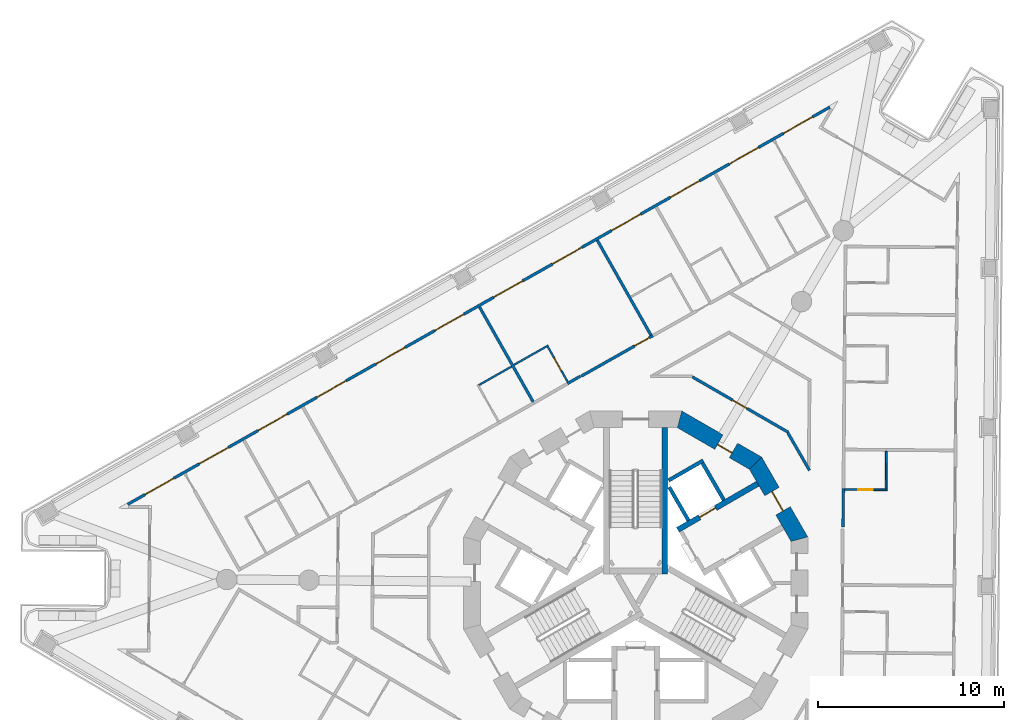
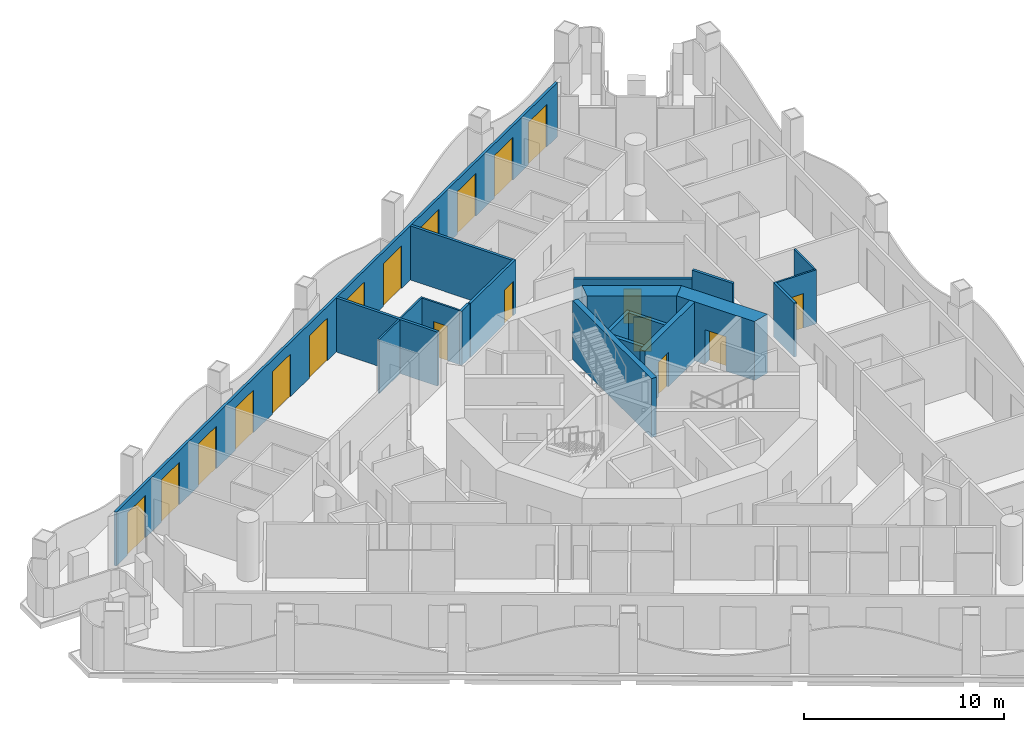
# One storey, part 8 of 17: 20 walls, 19 doors, 19 openings.
"""IFC4 building model written with IfcOpenShell, lengths in metres."""

from ifc_helpers import new_model, si_unit, direction, frame, frame_2d, origin, place, context, subcontext, project, spatial, polyline, rectangle, outline, extrude, material, layer, layer_set, type_object, element, fill, save


model = new_model("IFC4")

# Units and contexts
model_context = context("Model", 3, precision=1e-05, world=origin(), true_north=direction((0.0, 1.0)))
body_context = subcontext(model_context, "Body", "Model", "MODEL_VIEW")
ifc_project = project(units=[si_unit("LENGTHUNIT", "METRE"), si_unit("AREAUNIT", "SQUARE_METRE"), si_unit("VOLUMEUNIT", "CUBIC_METRE"), si_unit("PLANEANGLEUNIT", "RADIAN"), si_unit("MASSUNIT", "GRAM", prefix="KILO")], contexts=[model_context])

# Site, building, storey
site_placement = place(None, origin())
site = spatial("IfcSite", under=ifc_project, at=site_placement, CompositionType="ELEMENT")
building_placement = place(site_placement, origin())
building = spatial("IfcBuilding", under=site, at=building_placement, Name="Trine Commons Tower", CompositionType="ELEMENT")
storey_placement = place(building_placement, frame((0.0, 0.0, 168.300048828125)))
storey = spatial("IfcBuildingStorey", under=building, at=storey_placement, Name="L43", CompositionType="ELEMENT", Elevation=168.300048828125)

# Wall, openings, doors
ifc_material_1 = material(Name="Aluminium-framed insulated wall panel", Category="aluminium")
ifc_layer_1 = layer(ifc_material_1, 0.14990234375)
ifc_layer_set_1 = layer_set([ifc_layer_1], Name="Aluminium-framed insulated wall panel")
wall_type_1 = type_object("IfcWallType", Name="Glazed frame wall 150, EI 60", PredefinedType="SOLIDWALL", material=ifc_layer_set_1)
wall_1_placement = place(storey_placement, frame((52.497802734375, 66.67041015625, 0.0), z_axis=(0.0, 0.0, 1.0), x_axis=(0.870354973249, 0.492424837453, 0.0)))
wall_1 = element("IfcWall", 1, at=wall_1_placement, inside=storey, type_object=wall_type_1, Name="Glazed frame wall F1", PredefinedType="SOLIDWALL", context=body_context, shape_type="SweptSolid", body=[
    extrude(outline(polyline([(0.1494140625, 0.074951171875), (0.1494140625, -0.074951171875), (43.616943359375, -0.074951171875), (43.616943359375, 0.074951171875), (0.1494140625, 0.074951171875)])), origin(), (0.0, 0.0, 1.0), 3.300048828125),
])
opening_1_placement = place(wall_1_placement, frame((1.2236328125, 0.0, 0.0)))
opening_1 = element("IfcOpeningElement", 2, at=opening_1_placement, cuts=wall_1, Name="Opening BD-5F1-01", PredefinedType="OPENING", context=body_context, shape_type="SweptSolid", body=[
    extrude(rectangle(XDim=1.800048828125, YDim=2.60009765625, at=frame_2d((0.89990234375, 1.300048828125))), frame((0.0, 0.0849609375, 0.0), z_axis=(0.0, -1.0, 0.0), x_axis=(1.0, 0.0, 0.0)), (0.0, 0.0, 1.0), 0.169921875),
])
opening_2_placement = place(wall_1_placement, frame((4.57080078125, 0.0, 0.0)))
opening_2 = element("IfcOpeningElement", 3, at=opening_2_placement, cuts=wall_1, Name="Opening BD-5F1-02", PredefinedType="OPENING", context=body_context, shape_type="SweptSolid", body=[
    extrude(rectangle(XDim=1.800048828125, YDim=2.60009765625, at=frame_2d((0.89990234375, 1.300048828125))), frame((0.0, 0.0849609375, 0.0), z_axis=(0.0, -1.0, 0.0), x_axis=(1.0, 0.0, 0.0)), (0.0, 0.0, 1.0), 0.169921875),
])
opening_3_placement = place(wall_1_placement, frame((8.218017578125, 0.0, 0.0)))
opening_3 = element("IfcOpeningElement", 4, at=opening_3_placement, cuts=wall_1, Name="Opening BD-5F1-03", PredefinedType="OPENING", context=body_context, shape_type="SweptSolid", body=[
    extrude(rectangle(XDim=1.800048828125, YDim=2.60009765625, at=frame_2d((0.89990234375, 1.300048828125))), frame((0.0, 0.0849609375, 0.0), z_axis=(0.0, -1.0, 0.0), x_axis=(1.0, 0.0, 0.0)), (0.0, 0.0, 1.0), 0.169921875),
])
opening_4_placement = place(wall_1_placement, frame((11.865234375, 0.0, 0.0)))
opening_4 = element("IfcOpeningElement", 5, at=opening_4_placement, cuts=wall_1, Name="Opening BD-5F1-04", PredefinedType="OPENING", context=body_context, shape_type="SweptSolid", body=[
    extrude(rectangle(XDim=1.800048828125, YDim=2.60009765625, at=frame_2d((0.89990234375, 1.300048828125))), frame((0.0, 0.0849609375, 0.0), z_axis=(0.0, -1.0, 0.0), x_axis=(1.0, 0.0, 0.0)), (0.0, 0.0, 1.0), 0.169921875),
])
opening_5_placement = place(wall_1_placement, frame((15.512451171875, 0.0, 0.0)))
opening_5 = element("IfcOpeningElement", 6, at=opening_5_placement, cuts=wall_1, Name="Opening BD-5F1-05", PredefinedType="OPENING", context=body_context, shape_type="SweptSolid", body=[
    extrude(rectangle(XDim=1.800048828125, YDim=2.60009765625, at=frame_2d((0.89990234375, 1.300048828125))), frame((0.0, 0.0849609375, 0.0), z_axis=(0.0, -1.0, 0.0), x_axis=(1.0, 0.0, 0.0)), (0.0, 0.0, 1.0), 0.169921875),
])
opening_6_placement = place(wall_1_placement, frame((19.15966796875, 0.0, 0.0)))
opening_6 = element("IfcOpeningElement", 7, at=opening_6_placement, cuts=wall_1, Name="Opening BD-5F1-06", PredefinedType="OPENING", context=body_context, shape_type="SweptSolid", body=[
    extrude(rectangle(XDim=1.800048828125, YDim=2.60009765625, at=frame_2d((0.89990234375, 1.300048828125))), frame((0.0, 0.0849609375, 0.0), z_axis=(0.0, -1.0, 0.0), x_axis=(1.0, 0.0, 0.0)), (0.0, 0.0, 1.0), 0.169921875),
])
opening_7_placement = place(wall_1_placement, frame((22.806884765625, 0.0, 0.0)))
opening_7 = element("IfcOpeningElement", 8, at=opening_7_placement, cuts=wall_1, Name="Opening BD-5F1-07", PredefinedType="OPENING", context=body_context, shape_type="SweptSolid", body=[
    extrude(rectangle(XDim=1.800048828125, YDim=2.60009765625, at=frame_2d((0.89990234375, 1.300048828125))), frame((0.0, 0.0849609375, 0.0), z_axis=(0.0, -1.0, 0.0), x_axis=(1.0, 0.0, 0.0)), (0.0, 0.0, 1.0), 0.169921875),
])
opening_8_placement = place(wall_1_placement, frame((26.4541015625, 0.0, 0.0)))
opening_8 = element("IfcOpeningElement", 9, at=opening_8_placement, cuts=wall_1, Name="Opening BD-5F1-08", PredefinedType="OPENING", context=body_context, shape_type="SweptSolid", body=[
    extrude(rectangle(XDim=1.800048828125, YDim=2.60009765625, at=frame_2d((0.89990234375, 1.300048828125))), frame((0.0, 0.0849609375, 0.0), z_axis=(0.0, -1.0, 0.0), x_axis=(1.0, 0.0, 0.0)), (0.0, 0.0, 1.0), 0.169921875),
])
opening_9_placement = place(wall_1_placement, frame((30.101318359375, 0.0, 0.0)))
opening_9 = element("IfcOpeningElement", 10, at=opening_9_placement, cuts=wall_1, Name="Opening BD-5F1-09", PredefinedType="OPENING", context=body_context, shape_type="SweptSolid", body=[
    extrude(rectangle(XDim=1.800048828125, YDim=2.60009765625, at=frame_2d((0.89990234375, 1.300048828125))), frame((0.0, 0.0849609375, 0.0), z_axis=(0.0, -1.0, 0.0), x_axis=(1.0, 0.0, 0.0)), (0.0, 0.0, 1.0), 0.169921875),
])
opening_10_placement = place(wall_1_placement, frame((33.748291015625, 0.0, 0.0)))
opening_10 = element("IfcOpeningElement", 11, at=opening_10_placement, cuts=wall_1, Name="Opening BD-5F1-10", PredefinedType="OPENING", context=body_context, shape_type="SweptSolid", body=[
    extrude(rectangle(XDim=1.800048828125, YDim=2.60009765625, at=frame_2d((0.89990234375, 1.300048828125))), frame((0.0, 0.0849609375, 0.0), z_axis=(0.0, -1.0, 0.0), x_axis=(1.0, 0.0, 0.0)), (0.0, 0.0, 1.0), 0.169921875),
])
opening_11_placement = place(wall_1_placement, frame((37.3955078125, 0.0, 0.0)))
opening_11 = element("IfcOpeningElement", 12, at=opening_11_placement, cuts=wall_1, Name="Opening BD-5F1-11", PredefinedType="OPENING", context=body_context, shape_type="SweptSolid", body=[
    extrude(rectangle(XDim=1.800048828125, YDim=2.60009765625, at=frame_2d((0.89990234375, 1.300048828125))), frame((0.0, 0.0849609375, 0.0), z_axis=(0.0, -1.0, 0.0), x_axis=(1.0, 0.0, 0.0)), (0.0, 0.0, 1.0), 0.169921875),
])
opening_12_placement = place(wall_1_placement, frame((40.742919921875, 0.0, 0.0)))
opening_12 = element("IfcOpeningElement", 13, at=opening_12_placement, cuts=wall_1, Name="Opening BD-5F1-12", PredefinedType="OPENING", context=body_context, shape_type="SweptSolid", body=[
    extrude(rectangle(XDim=1.800048828125, YDim=2.60009765625, at=frame_2d((0.89990234375, 1.300048828125))), frame((0.0, 0.0849609375, 0.0), z_axis=(0.0, -1.0, 0.0), x_axis=(1.0, 0.0, 0.0)), (0.0, 0.0, 1.0), 0.169921875),
])
ifc_material_2 = material(Name="Anodised aluminium frame with double glazing", Category="aluminium")
door_type_1 = type_object("IfcDoorType", Name="Sliding loggia door 1800x2600", OperationType="SLIDING_TO_LEFT", PredefinedType="DOOR", material=ifc_material_2)
door_1_placement = place(opening_1_placement, origin())
door_1 = element("IfcDoor", 14, at=door_1_placement, inside=storey, type_object=door_type_1, Name="Loggia door F1 1", OperationType="SLIDING_TO_LEFT", OverallHeight=2.60009765625, OverallWidth=1.800048828125, PredefinedType="DOOR", context=body_context, shape_type="SweptSolid", body=[
    extrude(rectangle(XDim=1.800048828125, YDim=2.60009765625, at=frame_2d((0.89990234375, 1.300048828125))), frame((0.0, 0.02490234375, 0.0), z_axis=(0.0, -1.0, 0.0), x_axis=(1.0, 0.0, 0.0)), (0.0, 0.0, 1.0), 0.050048828125),
])
fill(opening_1, door_1)
door_2_placement = place(opening_2_placement, origin())
door_2 = element("IfcDoor", 15, at=door_2_placement, inside=storey, type_object=door_type_1, Name="Loggia door F1 2", OperationType="SLIDING_TO_LEFT", OverallHeight=2.60009765625, OverallWidth=1.800048828125, PredefinedType="DOOR", context=body_context, shape_type="SweptSolid", body=[
    extrude(rectangle(XDim=1.800048828125, YDim=2.60009765625, at=frame_2d((0.89990234375, 1.300048828125))), frame((0.0, 0.02490234375, 0.0), z_axis=(0.0, -1.0, 0.0), x_axis=(1.0, 0.0, 0.0)), (0.0, 0.0, 1.0), 0.050048828125),
])
fill(opening_2, door_2)
door_3_placement = place(opening_3_placement, origin())
door_3 = element("IfcDoor", 16, at=door_3_placement, inside=storey, type_object=door_type_1, Name="Loggia door F1 3", OperationType="SLIDING_TO_LEFT", OverallHeight=2.60009765625, OverallWidth=1.800048828125, PredefinedType="DOOR", context=body_context, shape_type="SweptSolid", body=[
    extrude(rectangle(XDim=1.800048828125, YDim=2.60009765625, at=frame_2d((0.89990234375, 1.300048828125))), frame((0.0, 0.02490234375, 0.0), z_axis=(0.0, -1.0, 0.0), x_axis=(1.0, 0.0, 0.0)), (0.0, 0.0, 1.0), 0.050048828125),
])
fill(opening_3, door_3)
door_4_placement = place(opening_4_placement, origin())
door_4 = element("IfcDoor", 17, at=door_4_placement, inside=storey, type_object=door_type_1, Name="Loggia door F1 4", OperationType="SLIDING_TO_LEFT", OverallHeight=2.60009765625, OverallWidth=1.800048828125, PredefinedType="DOOR", context=body_context, shape_type="SweptSolid", body=[
    extrude(rectangle(XDim=1.800048828125, YDim=2.60009765625, at=frame_2d((0.89990234375, 1.300048828125))), frame((0.0, 0.02490234375, 0.0), z_axis=(0.0, -1.0, 0.0), x_axis=(1.0, 0.0, 0.0)), (0.0, 0.0, 1.0), 0.050048828125),
])
fill(opening_4, door_4)
door_5_placement = place(opening_5_placement, origin())
door_5 = element("IfcDoor", 18, at=door_5_placement, inside=storey, type_object=door_type_1, Name="Loggia door F1 5", OperationType="SLIDING_TO_LEFT", OverallHeight=2.60009765625, OverallWidth=1.800048828125, PredefinedType="DOOR", context=body_context, shape_type="SweptSolid", body=[
    extrude(rectangle(XDim=1.800048828125, YDim=2.60009765625, at=frame_2d((0.89990234375, 1.300048828125))), frame((0.0, 0.02490234375, 0.0), z_axis=(0.0, -1.0, 0.0), x_axis=(1.0, 0.0, 0.0)), (0.0, 0.0, 1.0), 0.050048828125),
])
fill(opening_5, door_5)
door_6_placement = place(opening_6_placement, origin())
door_6 = element("IfcDoor", 19, at=door_6_placement, inside=storey, type_object=door_type_1, Name="Loggia door F1 6", OperationType="SLIDING_TO_LEFT", OverallHeight=2.60009765625, OverallWidth=1.800048828125, PredefinedType="DOOR", context=body_context, shape_type="SweptSolid", body=[
    extrude(rectangle(XDim=1.800048828125, YDim=2.60009765625, at=frame_2d((0.89990234375, 1.300048828125))), frame((0.0, 0.02490234375, 0.0), z_axis=(0.0, -1.0, 0.0), x_axis=(1.0, 0.0, 0.0)), (0.0, 0.0, 1.0), 0.050048828125),
])
fill(opening_6, door_6)
door_7_placement = place(opening_7_placement, origin())
door_7 = element("IfcDoor", 20, at=door_7_placement, inside=storey, type_object=door_type_1, Name="Loggia door F1 7", OperationType="SLIDING_TO_LEFT", OverallHeight=2.60009765625, OverallWidth=1.800048828125, PredefinedType="DOOR", context=body_context, shape_type="SweptSolid", body=[
    extrude(rectangle(XDim=1.800048828125, YDim=2.60009765625, at=frame_2d((0.89990234375, 1.300048828125))), frame((0.0, 0.02490234375, 0.0), z_axis=(0.0, -1.0, 0.0), x_axis=(1.0, 0.0, 0.0)), (0.0, 0.0, 1.0), 0.050048828125),
])
fill(opening_7, door_7)
door_8_placement = place(opening_8_placement, origin())
door_8 = element("IfcDoor", 21, at=door_8_placement, inside=storey, type_object=door_type_1, Name="Loggia door F1 8", OperationType="SLIDING_TO_LEFT", OverallHeight=2.60009765625, OverallWidth=1.800048828125, PredefinedType="DOOR", context=body_context, shape_type="SweptSolid", body=[
    extrude(rectangle(XDim=1.800048828125, YDim=2.60009765625, at=frame_2d((0.89990234375, 1.300048828125))), frame((0.0, 0.02490234375, 0.0), z_axis=(0.0, -1.0, 0.0), x_axis=(1.0, 0.0, 0.0)), (0.0, 0.0, 1.0), 0.050048828125),
])
fill(opening_8, door_8)
door_9_placement = place(opening_9_placement, origin())
door_9 = element("IfcDoor", 22, at=door_9_placement, inside=storey, type_object=door_type_1, Name="Loggia door F1 9", OperationType="SLIDING_TO_LEFT", OverallHeight=2.60009765625, OverallWidth=1.800048828125, PredefinedType="DOOR", context=body_context, shape_type="SweptSolid", body=[
    extrude(rectangle(XDim=1.800048828125, YDim=2.60009765625, at=frame_2d((0.89990234375, 1.300048828125))), frame((0.0, 0.02490234375, 0.0), z_axis=(0.0, -1.0, 0.0), x_axis=(1.0, 0.0, 0.0)), (0.0, 0.0, 1.0), 0.050048828125),
])
fill(opening_9, door_9)
door_10_placement = place(opening_10_placement, origin())
door_10 = element("IfcDoor", 23, at=door_10_placement, inside=storey, type_object=door_type_1, Name="Loggia door F1 10", OperationType="SLIDING_TO_LEFT", OverallHeight=2.60009765625, OverallWidth=1.800048828125, PredefinedType="DOOR", context=body_context, shape_type="SweptSolid", body=[
    extrude(rectangle(XDim=1.800048828125, YDim=2.60009765625, at=frame_2d((0.89990234375, 1.300048828125))), frame((0.0, 0.02490234375, 0.0), z_axis=(0.0, -1.0, 0.0), x_axis=(1.0, 0.0, 0.0)), (0.0, 0.0, 1.0), 0.050048828125),
])
fill(opening_10, door_10)
door_11_placement = place(opening_11_placement, origin())
door_11 = element("IfcDoor", 24, at=door_11_placement, inside=storey, type_object=door_type_1, Name="Loggia door F1 11", OperationType="SLIDING_TO_LEFT", OverallHeight=2.60009765625, OverallWidth=1.800048828125, PredefinedType="DOOR", context=body_context, shape_type="SweptSolid", body=[
    extrude(rectangle(XDim=1.800048828125, YDim=2.60009765625, at=frame_2d((0.89990234375, 1.300048828125))), frame((0.0, 0.02490234375, 0.0), z_axis=(0.0, -1.0, 0.0), x_axis=(1.0, 0.0, 0.0)), (0.0, 0.0, 1.0), 0.050048828125),
])
fill(opening_11, door_11)
door_12_placement = place(opening_12_placement, origin())
door_12 = element("IfcDoor", 25, at=door_12_placement, inside=storey, type_object=door_type_1, Name="Loggia door F1 12", OperationType="SLIDING_TO_LEFT", OverallHeight=2.60009765625, OverallWidth=1.800048828125, PredefinedType="DOOR", context=body_context, shape_type="SweptSolid", body=[
    extrude(rectangle(XDim=1.800048828125, YDim=2.60009765625, at=frame_2d((0.89990234375, 1.300048828125))), frame((0.0, 0.02490234375, 0.0), z_axis=(0.0, -1.0, 0.0), x_axis=(1.0, 0.0, 0.0)), (0.0, 0.0, 1.0), 0.050048828125),
])
fill(opening_12, door_12)

# Wall, opening, door
ifc_material_3 = material(Name="Concrete C60/75", Category="concrete")
ifc_layer_2 = layer(ifc_material_3, 0.300048828125)
ifc_layer_set_2 = layer_set([ifc_layer_2], Name="Concrete C60/75")
wall_type_2 = type_object("IfcWallType", Name="RC shear wall 300 mm, C60/75", PredefinedType="SHEAR", material=ifc_layer_set_2)
wall_2_placement = place(storey_placement, frame((82.26904296875, 65.368896484375, 0.0), z_axis=(0.0, 0.0, 1.0), x_axis=(0.865983655544, 0.500072303102, 0.0)))
wall_2 = element("IfcWall", 26, at=wall_2_placement, inside=storey, type_object=wall_type_2, Name="Core cross wall SWB-05 L43", PredefinedType="SHEAR", context=body_context, shape_type="SweptSolid", body=[
    extrude(rectangle(XDim=4.973388671875, YDim=0.300048828125, at=frame_2d((2.48681640625, 0.0))), origin(), (0.0, 0.0, 1.0), 3.599853515625),
])
opening_13_placement = place(wall_2_placement, frame((1.3505859375, 0.0, 0.0)))
opening_13 = element("IfcOpeningElement", 27, at=opening_13_placement, cuts=wall_2, Name="Opening LD5", PredefinedType="OPENING", context=body_context, shape_type="SweptSolid", body=[
    extrude(rectangle(XDim=1.0, YDim=2.10009765625, at=frame_2d((0.5, 1.050048828125))), frame((0.0, 0.159912109375, 0.0), z_axis=(0.0, -1.0, 0.0), x_axis=(1.0, 0.0, 0.0)), (0.0, 0.0, 1.0), 0.320068359375),
])
ifc_material_4 = material(Name="Stainless steel sliding door leaves", Category="steel")
door_type_2 = type_object("IfcDoorType", Name="Lift landing door, centre-opening sliding 1000 x 2100, FD90", OperationType="DOUBLE_DOOR_SLIDING", PredefinedType="DOOR", material=ifc_material_4)
door_13_placement = place(opening_13_placement, origin())
door_13 = element("IfcDoor", 28, at=door_13_placement, inside=storey, type_object=door_type_2, Name="Lift landing door HR1 L43", OperationType="DOUBLE_DOOR_SLIDING", OverallHeight=2.10009765625, OverallWidth=1.0, PredefinedType="DOOR", context=body_context, shape_type="SweptSolid", body=[
    extrude(rectangle(XDim=1.0, YDim=2.10009765625, at=frame_2d((0.5, 1.050048828125))), frame((0.0, 0.02490234375, 0.0), z_axis=(0.0, -1.0, 0.0), x_axis=(1.0, 0.0, 0.0)), (0.0, 0.0, 1.0), 0.050048828125),
])
fill(opening_13, door_13)

# Wall
wall_3_placement = place(storey_placement, frame((81.574951171875, 63.0009765625, 0.0), z_axis=(0.0, 0.0, 1.0), x_axis=(0.0, 1.0, 0.0)))
element("IfcWall", 29, at=wall_3_placement, inside=storey, type_object=wall_type_2, Name="Core cross wall SWB-17 L43", PredefinedType="SHEAR", context=body_context, shape_type="SweptSolid", body=[
    extrude(rectangle(XDim=7.8720703125, YDim=0.300048828125, at=frame_2d((3.93603515625, 0.0))), origin(), (0.0, 0.0, 1.0), 3.599853515625),
])

# Wall, opening, door
ifc_layer_3 = layer(ifc_material_3, 0.89990234375)
ifc_layer_set_3 = layer_set([ifc_layer_3], Name="Concrete C60/75")
wall_type_3 = type_object("IfcWallType", Name="RC shear wall 900 mm, C60/75", PredefinedType="SHEAR", material=ifc_layer_set_3)
wall_4_placement = place(storey_placement, frame((88.88330078125, 64.759765625, 0.0), z_axis=(0.0, 0.0, 1.0), x_axis=(-0.500038571144, 0.866003133579, 0.0)))
wall_4 = element("IfcWall", 30, at=wall_4_placement, inside=storey, type_object=wall_type_3, Name="Core wall CWE-02 L43", PredefinedType="SHEAR", context=body_context, shape_type="SweptSolid", body=[
    extrude(outline(polyline([(0.0, -0.449951171875), (4.96923828125, -0.449951171875), (4.72802734375, 0.449951171875), (0.2412109375, 0.449951171875), (0.0, -0.449951171875)])), origin(), (0.0, 0.0, 1.0), 3.599853515625),
])
opening_14_placement = place(wall_4_placement, frame((1.884521484375, 0.0, 0.0)))
opening_14 = element("IfcOpeningElement", 31, at=opening_14_placement, cuts=wall_4, Name="Opening K10.04", PredefinedType="OPENING", context=body_context, shape_type="SweptSolid", body=[
    extrude(rectangle(XDim=1.199951171875, YDim=2.10009765625, at=frame_2d((0.60009765625, 1.050048828125))), frame((0.0, 0.4599609375, 0.0), z_axis=(0.0, -1.0, 0.0), x_axis=(1.0, 0.0, 0.0)), (0.0, 0.0, 1.0), 0.919921875),
])
ifc_material_5 = material(Name="Steel door leaves, fire-rated", Category="steel")
door_type_3 = type_object("IfcDoorType", Name="Lobby door, double leaf 1200 x 2100, FD60", OperationType="DOUBLE_DOOR_SINGLE_SWING", PredefinedType="DOOR", material=ifc_material_5)
door_14_placement = place(opening_14_placement, origin())
door_14 = element("IfcDoor", 32, at=door_14_placement, inside=storey, type_object=door_type_3, Name="Lobby door, Passenger lift lobby A L43", OperationType="DOUBLE_DOOR_SINGLE_SWING", OverallHeight=2.10009765625, OverallWidth=1.199951171875, PredefinedType="DOOR", context=body_context, shape_type="SweptSolid", body=[
    extrude(rectangle(XDim=1.199951171875, YDim=2.10009765625, at=frame_2d((0.60009765625, 1.050048828125))), frame((0.0, 0.02490234375, 0.0), z_axis=(0.0, -1.0, 0.0), x_axis=(1.0, 0.0, 0.0)), (0.0, 0.0, 1.0), 0.050048828125),
])
fill(opening_14, door_14)

wall_5_placement = place(storey_placement, frame((86.563232421875, 68.8984375, 0.0), z_axis=(0.0, 0.0, 1.0), x_axis=(-0.866003133579, 0.500038571144, 0.0)))
wall_5 = element("IfcWall", 33, at=wall_5_placement, inside=storey, type_object=wall_type_3, Name="Core wall CWE-03 L43", PredefinedType="SHEAR", context=body_context, shape_type="SweptSolid", body=[
    extrude(outline(polyline([(0.0, -0.449951171875), (4.96923828125, -0.449951171875), (4.72802734375, 0.449951171875), (0.2412109375, 0.449951171875), (0.0, -0.449951171875)])), origin(), (0.0, 0.0, 1.0), 3.599853515625),
])
opening_15_placement = place(wall_5_placement, frame((1.49609375, 0.0, 0.0)))
opening_15 = element("IfcOpeningElement", 34, at=opening_15_placement, cuts=wall_5, Name="Opening K10.12", PredefinedType="OPENING", context=body_context, shape_type="SweptSolid", body=[
    extrude(rectangle(XDim=0.89990234375, YDim=2.10009765625, at=frame_2d((0.449951171875, 1.050048828125))), frame((0.0, 0.4599609375, 0.0), z_axis=(0.0, -1.0, 0.0), x_axis=(1.0, 0.0, 0.0)), (0.0, 0.0, 1.0), 0.919921875),
])
ifc_material_6 = material(Name="Steel door leaf, fire-rated", Category="steel")
door_type_4 = type_object("IfcDoorType", Name="Core room door, single leaf 900 x 2100, FD30S", OperationType="SINGLE_SWING_LEFT", PredefinedType="DOOR", material=ifc_material_6)
door_15_placement = place(opening_15_placement, origin())
door_15 = element("IfcDoor", 35, at=door_15_placement, inside=storey, type_object=door_type_4, Name="Door to Pantry L43", OperationType="SINGLE_SWING_LEFT", OverallHeight=2.10009765625, OverallWidth=0.89990234375, PredefinedType="DOOR", context=body_context, shape_type="SweptSolid", body=[
    extrude(rectangle(XDim=0.89990234375, YDim=2.10009765625, at=frame_2d((0.449951171875, 1.050048828125))), frame((0.0, 0.1748046875, 0.0), z_axis=(0.0, -1.0, 0.0), x_axis=(1.0, 0.0, 0.0)), (0.0, 0.0, 1.0), 0.050048828125),
])
fill(opening_15, door_15)

# Walls
ifc_material_7 = material(Name="Fire-rated gypsum shaft wall system")
ifc_layer_4 = layer(ifc_material_7, 0.199951171875)
ifc_layer_set_4 = layer_set([ifc_layer_4], Name="Fire-rated gypsum shaft wall system")
wall_type_4 = type_object("IfcWallType", Name="Shaft wall 200 mm, EI 120", PredefinedType="PARTITIONING", material=ifc_layer_set_4)
wall_6_placement = place(storey_placement, frame((81.77490234375, 68.028076171875, 0.0), z_axis=(0.0, 0.0, 1.0), x_axis=(0.866130725101, 0.499817533742, 0.0)))
element("IfcWall", 36, at=wall_6_placement, inside=storey, type_object=wall_type_4, Name="Shaft wall L43", PredefinedType="PARTITIONING", context=body_context, shape_type="SweptSolid", body=[
    extrude(rectangle(XDim=2.148681640625, YDim=0.199951171875, at=frame_2d((1.07421875, 0.0))), origin(), (0.0, 0.0, 1.0), 3.300048828125),
])
wall_7_placement = place(storey_placement, frame((82.843994140625, 65.8740234375, 0.0), z_axis=(0.0, 0.0, 1.0), x_axis=(-0.499865770674, 0.866102887253, 0.0)))
element("IfcWall", 37, at=wall_7_placement, inside=storey, type_object=wall_type_4, Name="Shaft wall L43", PredefinedType="PARTITIONING", context=body_context, shape_type="SweptSolid", body=[
    extrude(rectangle(XDim=2.064453125, YDim=0.199951171875, at=frame_2d((1.0322265625, 0.0))), origin(), (0.0, 0.0, 1.0), 3.300048828125),
])
wall_8_placement = place(storey_placement, frame((84.7490234375, 66.97412109375, 0.0), z_axis=(0.0, 0.0, 1.0), x_axis=(-0.500136062276, 0.86594683394, 0.0)))
element("IfcWall", 38, at=wall_8_placement, inside=storey, type_object=wall_type_4, Name="Shaft wall L43", PredefinedType="PARTITIONING", context=body_context, shape_type="SweptSolid", body=[
    extrude(rectangle(XDim=2.299072265625, YDim=0.199951171875, at=frame_2d((1.1494140625, 0.0))), origin(), (0.0, 0.0, 1.0), 3.300048828125),
])
ifc_material_8 = material(Name="Gypsum plasterboard on steel stud", Category="steel")
ifc_layer_5 = layer(ifc_material_8, 0.14990234375)
ifc_layer_set_5 = layer_set([ifc_layer_5], Name="Gypsum plasterboard on steel stud")
wall_type_5 = type_object("IfcWallType", Name="Unit and corridor wall 150 mm, EI 60", PredefinedType="PARTITIONING", material=ifc_layer_set_5)
wall_9_placement = place(storey_placement, frame((71.580810546875, 77.381103515625, 0.0), z_axis=(0.0, 0.0, 1.0), x_axis=(0.4923790567, -0.870380873252, 0.0)))
element("IfcWall", 39, at=wall_9_placement, inside=storey, type_object=wall_type_5, Name="Partition 045", PredefinedType="PARTITIONING", context=body_context, shape_type="SweptSolid", body=[
    extrude(rectangle(XDim=5.874267578125, YDim=0.14990234375, at=frame_2d((2.93701171875, 0.0))), origin(), (0.0, 0.0, 1.0), 3.300048828125),
])
wall_10_placement = place(storey_placement, frame((76.32568359375, 73.2509765625, 0.0), z_axis=(0.0, 0.0, 1.0), x_axis=(0.865924288798, 0.500175095412, 0.0)))
element("IfcWall", 40, at=wall_10_placement, inside=storey, type_object=wall_type_5, Name="Partition 058", PredefinedType="PARTITIONING", context=body_context, shape_type="SweptSolid", body=[
    extrude(rectangle(XDim=0.793701171875, YDim=0.14990234375, at=frame_2d((0.39697265625, 0.0))), origin(), (0.0, 0.0, 1.0), 3.300048828125),
])

# Wall, opening, door
wall_11_placement = place(storey_placement, frame((77.06396484375, 73.64794921875, 0.0), z_axis=(0.0, 0.0, 1.0), x_axis=(0.870327135276, 0.492474037491, 0.0)))
wall_11 = element("IfcWall", 41, at=wall_11_placement, inside=storey, type_object=wall_type_5, Name="Partition 060", PredefinedType="PARTITIONING", context=body_context, shape_type="SweptSolid", body=[
    extrude(rectangle(XDim=4.43896484375, YDim=0.14990234375, at=frame_2d((2.219482421875, 0.0))), origin(), (0.0, 0.0, 1.0), 3.300048828125),
])
opening_16_placement = place(wall_11_placement, frame((3.310302734375, 0.0, 0.0)))
opening_16 = element("IfcOpeningElement", 42, at=opening_16_placement, cuts=wall_11, Name="Opening D-5A09", PredefinedType="OPENING", context=body_context, shape_type="SweptSolid", body=[
    extrude(rectangle(XDim=0.89990234375, YDim=2.10009765625, at=frame_2d((0.449951171875, 1.050048828125))), frame((0.0, 0.0849609375, 0.0), z_axis=(0.0, -1.0, 0.0), x_axis=(1.0, 0.0, 0.0)), (0.0, 0.0, 1.0), 0.169921875),
])
ifc_material_9 = material(Name="Timber fire door set", Category="wood")
door_type_5 = type_object("IfcDoorType", Name="Bedroom door 900 x 2100, FD30S", OperationType="NOTDEFINED", PredefinedType="DOOR", material=ifc_material_9)
door_16_placement = place(opening_16_placement, origin())
door_16 = element("IfcDoor", 43, at=door_16_placement, inside=storey, type_object=door_type_5, Name="Door D-5A09", OperationType="SINGLE_SWING_RIGHT", OverallHeight=2.10009765625, OverallWidth=0.89990234375, PredefinedType="DOOR", context=body_context, shape_type="SweptSolid", body=[
    extrude(rectangle(XDim=0.89990234375, YDim=2.10009765625, at=frame_2d((0.449951171875, 1.050048828125))), frame((0.0, 0.02490234375, 0.0), z_axis=(0.0, -1.0, 0.0), x_axis=(1.0, 0.0, 0.0)), (0.0, 0.0, 1.0), 0.050048828125),
])
fill(opening_16, door_16)

# Wall
wall_12_placement = place(storey_placement, frame((77.9296875, 80.97314453125, 0.0), z_axis=(0.0, 0.0, 1.0), x_axis=(0.4923790567, -0.870380873252, 0.0)))
element("IfcWall", 44, at=wall_12_placement, inside=storey, type_object=wall_type_5, Name="Partition 062", PredefinedType="PARTITIONING", context=body_context, shape_type="SweptSolid", body=[
    extrude(rectangle(XDim=5.874267578125, YDim=0.14990234375, at=frame_2d((2.93701171875, 0.0))), origin(), (0.0, 0.0, 1.0), 3.300048828125),
])

# Wall, opening, door
wall_13_placement = place(storey_placement, frame((83.052001953125, 73.610595703125, 0.0), z_axis=(0.0, 0.0, 1.0), x_axis=(0.866039280689, -0.499975963725, 0.0)))
wall_13 = element("IfcWall", 45, at=wall_13_placement, inside=storey, type_object=wall_type_5, Name="Partition 079", PredefinedType="PARTITIONING", context=body_context, shape_type="SweptSolid", body=[
    extrude(rectangle(XDim=5.974365234375, YDim=0.14990234375, at=frame_2d((2.9873046875, 0.0))), origin(), (0.0, 0.0, 1.0), 2.75),
])
opening_17_placement = place(wall_13_placement, frame((2.499755859375, 0.0, 0.0)))
opening_17 = element("IfcOpeningElement", 46, at=opening_17_placement, cuts=wall_13, Name="Opening D-5A27", PredefinedType="OPENING", context=body_context, shape_type="SweptSolid", body=[
    extrude(rectangle(XDim=0.89990234375, YDim=2.10009765625, at=frame_2d((0.449951171875, 1.050048828125))), frame((0.0, 0.0849609375, 0.0), z_axis=(0.0, -1.0, 0.0), x_axis=(1.0, 0.0, 0.0)), (0.0, 0.0, 1.0), 0.169921875),
])
door_type_6 = type_object("IfcDoorType", Name="Service door 900 x 2100, FD30S", OperationType="NOTDEFINED", PredefinedType="DOOR", material=ifc_material_9)
door_17_placement = place(opening_17_placement, origin())
door_17 = element("IfcDoor", 47, at=door_17_placement, inside=storey, type_object=door_type_6, Name="Door D-5A27", OperationType="SINGLE_SWING_LEFT", OverallHeight=2.10009765625, OverallWidth=0.89990234375, PredefinedType="DOOR", context=body_context, shape_type="SweptSolid", body=[
    extrude(rectangle(XDim=0.89990234375, YDim=2.10009765625, at=frame_2d((0.449951171875, 1.050048828125))), frame((0.0, 0.02490234375, 0.0), z_axis=(0.0, -1.0, 0.0), x_axis=(1.0, 0.0, 0.0)), (0.0, 0.0, 1.0), 0.050048828125),
])
fill(opening_17, door_17)

# Walls
wall_14_placement = place(storey_placement, frame((88.198486328125, 70.595947265625, 0.0), z_axis=(0.0, 0.0, 1.0), x_axis=(0.500005931509, -0.866021979199, 0.0)))
element("IfcWall", 48, at=wall_14_placement, inside=storey, type_object=wall_type_5, Name="Partition 101", PredefinedType="PARTITIONING", context=body_context, shape_type="SweptSolid", body=[
    extrude(rectangle(XDim=2.3359375, YDim=0.14990234375, at=frame_2d((1.16796875, 0.0))), origin(), (0.0, 0.0, 1.0), 3.300048828125),
])
wall_15_placement = place(storey_placement, frame((91.174560546875, 65.51611328125, 0.0), z_axis=(0.0, 0.0, 1.0), x_axis=(0.00854769709, 0.99996346777, 0.0)))
element("IfcWall", 49, at=wall_15_placement, inside=storey, type_object=wall_type_5, Name="Partition 122", PredefinedType="PARTITIONING", context=body_context, shape_type="SweptSolid", body=[
    extrude(rectangle(XDim=2.0849609375, YDim=0.14990234375, at=frame_2d((1.04248046875, 0.0))), origin(), (0.0, 0.0, 1.0), 3.300048828125),
])
ifc_layer_6 = layer(ifc_material_8, 0.10009765625)
ifc_layer_set_6 = layer_set([ifc_layer_6], Name="Gypsum plasterboard on steel stud")
wall_type_6 = type_object("IfcWallType", Name="Unit partition 100 mm, no rating", PredefinedType="PARTITIONING", material=ifc_layer_set_6)
wall_16_placement = place(storey_placement, frame((71.550537109375, 73.170654296875, 0.0), z_axis=(0.0, 0.0, 1.0), x_axis=(0.87023930122, 0.492629230367, 0.0)))
element("IfcWall", 50, at=wall_16_placement, inside=storey, type_object=wall_type_6, Name="Partition 044", PredefinedType="PARTITIONING", context=body_context, shape_type="SweptSolid", body=[
    extrude(rectangle(XDim=2.02490234375, YDim=0.10009765625, at=frame_2d((1.012451171875, 0.0))), origin(), (0.0, 0.0, 1.0), 3.300048828125),
])
wall_17_placement = place(storey_placement, frame((73.435302734375, 74.255859375, 0.0), z_axis=(0.0, 0.0, 1.0), x_axis=(0.870265219316, 0.492583442726, 0.0)))
element("IfcWall", 51, at=wall_17_placement, inside=storey, type_object=wall_type_6, Name="Partition 052", PredefinedType="PARTITIONING", context=body_context, shape_type="SweptSolid", body=[
    extrude(rectangle(XDim=2.124755859375, YDim=0.10009765625, at=frame_2d((1.0625, 0.0))), origin(), (0.0, 0.0, 1.0), 3.300048828125),
])

# Wall, opening, door
wall_18_placement = place(storey_placement, frame((75.265625, 75.234619140625, 0.0), z_axis=(0.0, 0.0, 1.0), x_axis=(0.492249770031, -0.870453998729, 0.0)))
wall_18 = element("IfcWall", 52, at=wall_18_placement, inside=storey, type_object=wall_type_6, Name="Partition 056", PredefinedType="PARTITIONING", context=body_context, shape_type="SweptSolid", body=[
    extrude(rectangle(XDim=2.1728515625, YDim=0.10009765625, at=frame_2d((1.08642578125, 0.0))), origin(), (0.0, 0.0, 1.0), 3.300048828125),
])
opening_18_placement = place(wall_18_placement, frame((0.686279296875, 0.0, 0.0)))
opening_18 = element("IfcOpeningElement", 53, at=opening_18_placement, cuts=wall_18, Name="Opening D-5A34", PredefinedType="OPENING", context=body_context, shape_type="SweptSolid", body=[
    extrude(rectangle(XDim=0.800048828125, YDim=2.10009765625, at=frame_2d((0.39990234375, 1.050048828125))), frame((0.0, 0.06005859375, 0.0), z_axis=(0.0, -1.0, 0.0), x_axis=(1.0, 0.0, 0.0)), (0.0, 0.0, 1.0), 0.1201171875),
])
ifc_material_10 = material(Name="Painted timber", Category="wood")
door_type_7 = type_object("IfcDoorType", Name="Internal door 800 x 2100, NOT RATED", OperationType="NOTDEFINED", PredefinedType="DOOR", material=ifc_material_10)
door_18_placement = place(opening_18_placement, origin())
door_18 = element("IfcDoor", 54, at=door_18_placement, inside=storey, type_object=door_type_7, Name="Door D-5A34", OperationType="SINGLE_SWING_LEFT", OverallHeight=2.10009765625, OverallWidth=0.800048828125, PredefinedType="DOOR", context=body_context, shape_type="SweptSolid", body=[
    extrude(rectangle(XDim=0.800048828125, YDim=2.10009765625, at=frame_2d((0.39990234375, 1.050048828125))), frame((0.0, 0.02490234375, 0.0), z_axis=(0.0, -1.0, 0.0), x_axis=(1.0, 0.0, 0.0)), (0.0, 0.0, 1.0), 0.050048828125),
])
fill(opening_18, door_18)

wall_19_placement = place(storey_placement, frame((91.26806640625, 67.54638671875, 0.0), z_axis=(0.0, 0.0, 1.0), x_axis=(0.999962219299, -0.008692524121, 0.0)))
wall_19 = element("IfcWall", 55, at=wall_19_placement, inside=storey, type_object=wall_type_6, Name="Partition 124", PredefinedType="PARTITIONING", context=body_context, shape_type="SweptSolid", body=[
    extrude(rectangle(XDim=2.27490234375, YDim=0.10009765625, at=frame_2d((1.137451171875, 0.0))), origin(), (0.0, 0.0, 1.0), 3.300048828125),
])
opening_19_placement = place(wall_19_placement, frame((0.71240234375, 0.0, 0.0)))
opening_19 = element("IfcOpeningElement", 56, at=opening_19_placement, cuts=wall_19, Name="Opening D-5A40", PredefinedType="OPENING", context=body_context, shape_type="SweptSolid", body=[
    extrude(rectangle(XDim=0.800048828125, YDim=2.10009765625, at=frame_2d((0.39990234375, 1.050048828125))), frame((0.0, 0.06005859375, 0.0), z_axis=(0.0, -1.0, 0.0), x_axis=(1.0, 0.0, 0.0)), (0.0, 0.0, 1.0), 0.1201171875),
])
door_19_placement = place(opening_19_placement, frame((0.800048828125, 0.0, 0.0), z_axis=(0.0, 0.0, 1.0), x_axis=(-1.0, 0.0, 0.0)))
door_19 = element("IfcDoor", 57, at=door_19_placement, inside=storey, type_object=door_type_7, Name="Door D-5A40", OperationType="SINGLE_SWING_RIGHT", OverallHeight=2.10009765625, OverallWidth=0.800048828125, PredefinedType="DOOR", context=body_context, shape_type="SweptSolid", body=[
    extrude(rectangle(XDim=0.800048828125, YDim=2.10009765625, at=frame_2d((0.39990234375, 1.050048828125))), frame((0.0, 0.02490234375, 0.0), z_axis=(0.0, -1.0, 0.0), x_axis=(1.0, 0.0, 0.0)), (0.0, 0.0, 1.0), 0.050048828125),
])
fill(opening_19, door_19)

# Wall
wall_20_placement = place(storey_placement, frame((93.493408203125, 67.576904296875, 0.0), z_axis=(0.0, 0.0, 1.0), x_axis=(0.008438518102, 0.999964395072, 0.0)))
element("IfcWall", 58, at=wall_20_placement, inside=storey, type_object=wall_type_6, Name="Partition 135", PredefinedType="PARTITIONING", context=body_context, shape_type="SweptSolid", body=[
    extrude(rectangle(XDim=2.025146484375, YDim=0.10009765625, at=frame_2d((1.0126953125, 0.0))), origin(), (0.0, 0.0, 1.0), 3.300048828125),
])

save(model, "model.ifc")
